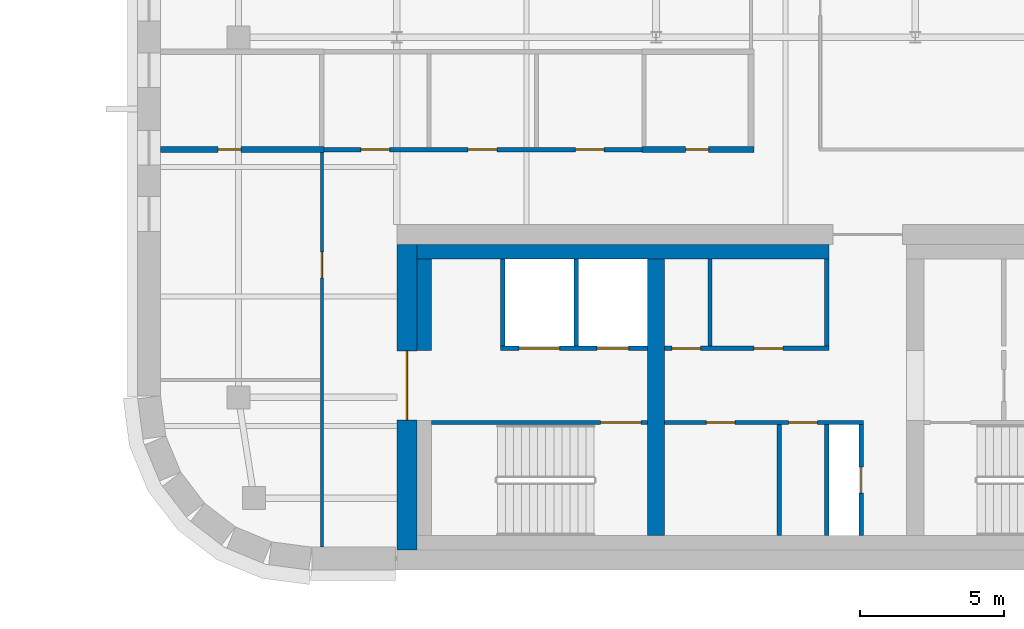
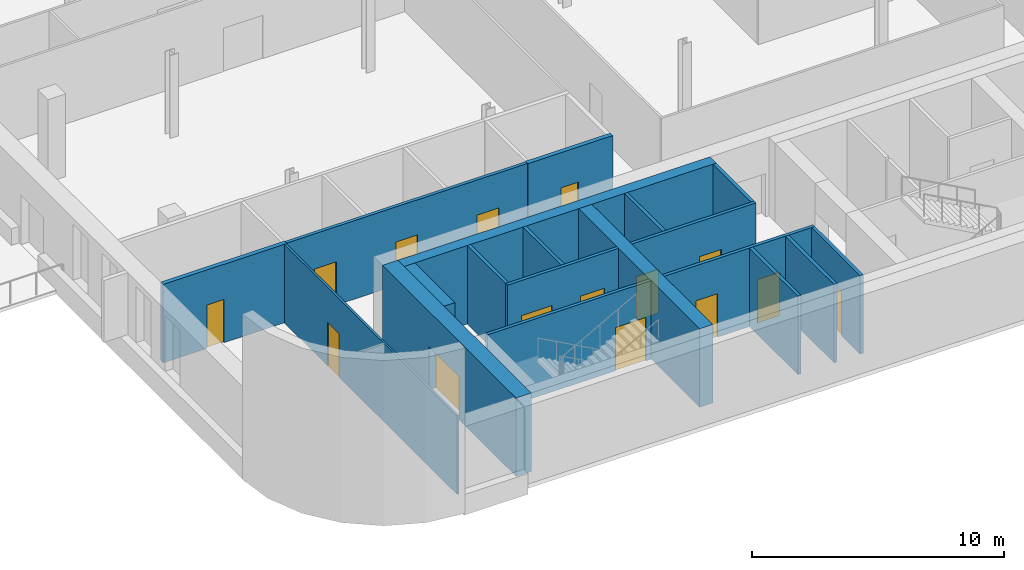
# One storey, part 6 of 17: 19 walls, 15 doors, 15 openings.
"""IFC4 building model written with IfcOpenShell, lengths in metres."""

from ifc_helpers import new_model, si_unit, direction, frame, frame_2d, origin, place, context, subcontext, project, spatial, rectangle, extrude, material, layer, layer_set, type_object, element, fill, save


model = new_model("IFC4")

# Units and contexts
model_context = context("Model", 3, precision=1e-05, world=origin(), true_north=direction((0.0, 1.0)))
body_context = subcontext(model_context, "Body", "Model", "MODEL_VIEW")
ifc_project = project(units=[si_unit("LENGTHUNIT", "METRE"), si_unit("AREAUNIT", "SQUARE_METRE"), si_unit("VOLUMEUNIT", "CUBIC_METRE"), si_unit("PLANEANGLEUNIT", "RADIAN"), si_unit("MASSUNIT", "GRAM", prefix="KILO")], contexts=[model_context])

# Site, building, storey
site_placement = place(None, origin())
site = spatial("IfcSite", under=ifc_project, at=site_placement, CompositionType="ELEMENT")
building_placement = place(site_placement, origin())
building = spatial("IfcBuilding", under=site, at=building_placement, Name="Zellij Exchange Tower", CompositionType="ELEMENT")
storey_placement = place(building_placement, frame((0.0, 0.0, 256.5)))
storey = spatial("IfcBuildingStorey", under=building, at=storey_placement, Name="L60", CompositionType="ELEMENT", Elevation=256.5)

# Walls
ifc_material_1 = material(Name="Concrete C50/60", Category="concrete")
ifc_layer_1 = layer(ifc_material_1, 0.60009765625)
ifc_layer_set_1 = layer_set([ifc_layer_1], Name="Concrete C50/60")
wall_type_1 = type_object("IfcWallType", Name="CORE-CW 600 C50/60", PredefinedType="SHEAR", material=ifc_layer_set_1)
wall_1_placement = place(storey_placement, frame((-18.0, -12.800048828125, 0.0), z_axis=(0.0, 0.0, 1.0), x_axis=(0.0, 1.0, 0.0)))
element("IfcWall", 1, at=wall_1_placement, inside=storey, type_object=wall_type_1, Name="Core cross wall x -18 L60", PredefinedType="SHEAR", context=body_context, shape_type="SweptSolid", body=[
    extrude(rectangle(XDim=9.60009765625, YDim=0.60009765625, at=frame_2d((4.800048828125, 0.0))), origin(), (0.0, 0.0, 1.0), 3.800048828125),
])
ifc_material_2 = material(Name="Concrete C30/37", Category="concrete")
ifc_layer_2 = layer(ifc_material_2, 0.5)
ifc_layer_set_2 = layer_set([ifc_layer_2], Name="Concrete C30/37")
wall_type_2 = type_object("IfcWallType", Name="CORE-LW 500 C30/37", PredefinedType="SHEAR", material=ifc_layer_set_2)
wall_2_placement = place(storey_placement, frame((-26.300048828125, -2.949951171875, 0.0), z_axis=(0.0, 0.0, 1.0), x_axis=(1.0, 0.0, 0.0)))
element("IfcWall", 2, at=wall_2_placement, inside=storey, type_object=wall_type_2, Name="Core wall lining front.0 L60", PredefinedType="SHEAR", context=body_context, shape_type="SweptSolid", body=[
    extrude(rectangle(XDim=14.300048828125, YDim=0.5, at=frame_2d((7.14990234375, 0.0))), origin(), (0.0, 0.0, 1.0), 3.800048828125),
])
wall_3_placement = place(storey_placement, frame((-26.050048828125, -6.375, 0.0), z_axis=(0.0, 0.0, 1.0), x_axis=(0.0, 1.0, 0.0)))
element("IfcWall", 3, at=wall_3_placement, inside=storey, type_object=wall_type_2, Name="Core wall lining end w.1 L60", PredefinedType="SHEAR", context=body_context, shape_type="SweptSolid", body=[
    extrude(rectangle(XDim=3.175048828125, YDim=0.5, at=frame_2d((1.58740234375, 0.0))), origin(), (0.0, 0.0, 1.0), 3.800048828125),
])
ifc_material_3 = material(Name="Gypsum board partition")
ifc_layer_3 = layer(ifc_material_3, 0.14990234375)
ifc_layer_set_3 = layer_set([ifc_layer_3], Name="Gypsum board partition")
wall_type_3 = type_object("IfcWallType", Name="CORE-PW 150 Lift lobby wall", PredefinedType="PARTITIONING", material=ifc_layer_set_3)
for number, where, z_axis, x_axis, name in (
    (4, (-12.074951171875, -6.22509765625, 0.0), (0.0, 0.0, 1.0), (0.0, 1.0, 0.0), "Lift lobby wall L60"),
    (5, (-16.125, -6.22509765625, 0.0), (0.0, 0.0, 1.0), (0.0, 1.0, 0.0), "Lift lobby wall L60"),
):
    element("IfcWall", number, at=place(storey_placement, frame(where, z_axis=z_axis, x_axis=x_axis)), inside=storey, type_object=wall_type_3, Name=name, PredefinedType="PARTITIONING", context=body_context, shape_type="SweptSolid", body=[
        extrude(rectangle(XDim=3.025146484375, YDim=0.14990234375, at=frame_2d((1.5126953125, 0.0))), origin(), (0.0, 0.0, 1.0), 3.800048828125),
    ])

# Wall, opening, door
wall_4_placement = place(storey_placement, frame((-10.875, -12.800048828125, 0.0), z_axis=(0.0, 0.0, 1.0), x_axis=(0.0, 1.0, 0.0)))
wall_4 = element("IfcWall", 6, at=wall_4_placement, inside=storey, type_object=wall_type_3, Name="Lift lobby wall L60", PredefinedType="PARTITIONING", context=body_context, shape_type="SweptSolid", body=[
    extrude(rectangle(XDim=3.85009765625, YDim=0.14990234375, at=frame_2d((1.925048828125, 0.0))), origin(), (0.0, 0.0, 1.0), 3.800048828125),
])
opening_1_placement = place(wall_4_placement, frame((1.47509765625, 0.0, 0.0)))
opening_1 = element("IfcOpeningElement", 7, at=opening_1_placement, cuts=wall_4, Name="Opening CA-31.09", PredefinedType="OPENING", context=body_context, shape_type="SweptSolid", body=[
    extrude(rectangle(XDim=0.89990234375, YDim=2.10009765625, at=frame_2d((0.449951171875, 1.050048828125))), frame((0.0, 0.0869140625, 0.0), z_axis=(0.0, -1.0, 0.0), x_axis=(1.0, 0.0, 0.0)), (0.0, 0.0, 1.0), 0.173828125),
])
ifc_material_4 = material(Name="Hollow metal fire door")
door_type_1 = type_object("IfcDoorType", Name="CORE-D RD Riser door 900x2100 1.5 HR", OperationType="NOTDEFINED", PredefinedType="DOOR", material=ifc_material_4)
door_1_placement = place(opening_1_placement, origin())
door_1 = element("IfcDoor", 8, at=door_1_placement, inside=storey, type_object=door_type_1, Name="Riser door CA-31.09", OperationType="SINGLE_SWING_RIGHT", OverallHeight=2.10009765625, OverallWidth=0.89990234375, PredefinedType="DOOR", context=body_context, shape_type="SweptSolid", body=[
    extrude(rectangle(XDim=0.89990234375, YDim=2.10009765625, at=frame_2d((0.449951171875, 1.050048828125))), frame((0.0, 0.02490234375, 0.0), z_axis=(0.0, -1.0, 0.0), x_axis=(1.0, 0.0, 0.0)), (0.0, 0.0, 1.0), 0.050048828125),
])
fill(opening_1, door_1)

# Walls
for number, where, z_axis, x_axis, name in (
    (9, (-12.074951171875, -12.800048828125, 0.0), (0.0, 0.0, 1.0), (0.0, 1.0, 0.0), "Lift lobby wall L60"),
    (10, (-13.72509765625, -12.800048828125, 0.0), (0.0, 0.0, 1.0), (0.0, 1.0, 0.0), "Lift lobby wall L60"),
):
    element("IfcWall", number, at=place(storey_placement, frame(where, z_axis=z_axis, x_axis=x_axis)), inside=storey, type_object=wall_type_3, Name=name, PredefinedType="PARTITIONING", context=body_context, shape_type="SweptSolid", body=[
        extrude(rectangle(XDim=3.85009765625, YDim=0.14990234375, at=frame_2d((1.925048828125, 0.0))), origin(), (0.0, 0.0, 1.0), 3.800048828125),
    ])

# Wall, openings, doors
wall_5_placement = place(storey_placement, frame((-17.699951171875, -6.300048828125, 0.0), z_axis=(0.0, 0.0, 1.0), x_axis=(1.0, 0.0, 0.0)))
wall_5 = element("IfcWall", 11, at=wall_5_placement, inside=storey, type_object=wall_type_3, Name="Lift lobby wall L60", PredefinedType="PARTITIONING", context=body_context, shape_type="SweptSolid", body=[
    extrude(rectangle(XDim=5.699951171875, YDim=0.14990234375, at=frame_2d((2.85009765625, 0.0))), origin(), (0.0, 0.0, 1.0), 3.800048828125),
])
opening_2_placement = place(wall_5_placement, frame((0.25, 0.0, 0.0)))
opening_2 = element("IfcOpeningElement", 12, at=opening_2_placement, cuts=wall_5, Name="Opening CA-31.05", PredefinedType="OPENING", context=body_context, shape_type="SweptSolid", body=[
    extrude(rectangle(XDim=1.0, YDim=2.10009765625, at=frame_2d((0.5, 1.050048828125))), frame((0.0, 0.0869140625, 0.0), z_axis=(0.0, -1.0, 0.0), x_axis=(1.0, 0.0, 0.0)), (0.0, 0.0, 1.0), 0.173828125),
])
opening_3_placement = place(wall_5_placement, frame((3.10009765625, 0.0, 0.0)))
opening_3 = element("IfcOpeningElement", 13, at=opening_3_placement, cuts=wall_5, Name="Opening CA-31.07", PredefinedType="OPENING", context=body_context, shape_type="SweptSolid", body=[
    extrude(rectangle(XDim=1.0, YDim=2.10009765625, at=frame_2d((0.5, 1.050048828125))), frame((0.0, 0.0869140625, 0.0), z_axis=(0.0, -1.0, 0.0), x_axis=(1.0, 0.0, 0.0)), (0.0, 0.0, 1.0), 0.173828125),
])
door_type_2 = type_object("IfcDoorType", Name="CORE-D CD Core room door 1000x2100 1 HR", OperationType="NOTDEFINED", PredefinedType="DOOR", material=ifc_material_4)
door_2_placement = place(opening_2_placement, origin())
door_2 = element("IfcDoor", 14, at=door_2_placement, inside=storey, type_object=door_type_2, Name="Core room door CA-31.05", OperationType="SINGLE_SWING_LEFT", OverallHeight=2.10009765625, OverallWidth=1.0, PredefinedType="DOOR", context=body_context, shape_type="SweptSolid", body=[
    extrude(rectangle(XDim=1.0, YDim=2.10009765625, at=frame_2d((0.5, 1.050048828125))), frame((0.0, 0.02490234375, 0.0), z_axis=(0.0, -1.0, 0.0), x_axis=(1.0, 0.0, 0.0)), (0.0, 0.0, 1.0), 0.050048828125),
])
fill(opening_2, door_2)
door_3_placement = place(opening_3_placement, origin())
door_3 = element("IfcDoor", 15, at=door_3_placement, inside=storey, type_object=door_type_2, Name="Core room door CA-31.07", OperationType="SINGLE_SWING_RIGHT", OverallHeight=2.10009765625, OverallWidth=1.0, PredefinedType="DOOR", context=body_context, shape_type="SweptSolid", body=[
    extrude(rectangle(XDim=1.0, YDim=2.10009765625, at=frame_2d((0.5, 1.050048828125))), frame((0.0, 0.02490234375, 0.0), z_axis=(0.0, -1.0, 0.0), x_axis=(1.0, 0.0, 0.0)), (0.0, 0.0, 1.0), 0.050048828125),
])
fill(opening_3, door_3)

wall_6_placement = place(storey_placement, frame((-17.699951171875, -8.875, 0.0), z_axis=(0.0, 0.0, 1.0), x_axis=(1.0, 0.0, 0.0)))
wall_6 = element("IfcWall", 16, at=wall_6_placement, inside=storey, type_object=wall_type_3, Name="Lift lobby wall L60", PredefinedType="PARTITIONING", context=body_context, shape_type="SweptSolid", body=[
    extrude(rectangle(XDim=6.89990234375, YDim=0.14990234375, at=frame_2d((3.449951171875, 0.0))), origin(), (0.0, 0.0, 1.0), 3.800048828125),
])
opening_4_placement = place(wall_6_placement, frame((1.449951171875, 0.0, 0.0)))
opening_4 = element("IfcOpeningElement", 17, at=opening_4_placement, cuts=wall_6, Name="Opening CA-31.06", PredefinedType="OPENING", context=body_context, shape_type="SweptSolid", body=[
    extrude(rectangle(XDim=1.0, YDim=2.10009765625, at=frame_2d((0.5, 1.050048828125))), frame((0.0, 0.0869140625, 0.0), z_axis=(0.0, -1.0, 0.0), x_axis=(1.0, 0.0, 0.0)), (0.0, 0.0, 1.0), 0.173828125),
])
opening_5_placement = place(wall_6_placement, frame((4.300048828125, 0.0, 0.0)))
opening_5 = element("IfcOpeningElement", 18, at=opening_5_placement, cuts=wall_6, Name="Opening CA-31.08", PredefinedType="OPENING", context=body_context, shape_type="SweptSolid", body=[
    extrude(rectangle(XDim=1.0, YDim=2.10009765625, at=frame_2d((0.5, 1.050048828125))), frame((0.0, 0.0869140625, 0.0), z_axis=(0.0, -1.0, 0.0), x_axis=(1.0, 0.0, 0.0)), (0.0, 0.0, 1.0), 0.173828125),
])
door_4_placement = place(opening_4_placement, origin())
door_4 = element("IfcDoor", 19, at=door_4_placement, inside=storey, type_object=door_type_2, Name="Core room door CA-31.06", OperationType="SINGLE_SWING_RIGHT", OverallHeight=2.10009765625, OverallWidth=1.0, PredefinedType="DOOR", context=body_context, shape_type="SweptSolid", body=[
    extrude(rectangle(XDim=1.0, YDim=2.10009765625, at=frame_2d((0.5, 1.050048828125))), frame((0.0, 0.02490234375, 0.0), z_axis=(0.0, -1.0, 0.0), x_axis=(1.0, 0.0, 0.0)), (0.0, 0.0, 1.0), 0.050048828125),
])
fill(opening_4, door_4)
door_5_placement = place(opening_5_placement, origin())
door_5 = element("IfcDoor", 20, at=door_5_placement, inside=storey, type_object=door_type_2, Name="Core room door CA-31.08", OperationType="SINGLE_SWING_LEFT", OverallHeight=2.10009765625, OverallWidth=1.0, PredefinedType="DOOR", context=body_context, shape_type="SweptSolid", body=[
    extrude(rectangle(XDim=1.0, YDim=2.10009765625, at=frame_2d((0.5, 1.050048828125))), frame((0.0, 0.02490234375, 0.0), z_axis=(0.0, -1.0, 0.0), x_axis=(1.0, 0.0, 0.0)), (0.0, 0.0, 1.0), 0.050048828125),
])
fill(opening_5, door_5)

# Walls
ifc_material_5 = material(Name="Gypsum shaft wall system")
ifc_layer_4 = layer(ifc_material_5, 0.14990234375)
ifc_layer_set_4 = layer_set([ifc_layer_4], Name="Gypsum shaft wall system")
wall_type_4 = type_object("IfcWallType", Name="CORE-PW 150 Lift shaft wall", PredefinedType="PARTITIONING", material=ifc_layer_set_4)
for number, where, z_axis, x_axis, name in (
    (21, (-20.77490234375, -6.22509765625, 0.0), (0.0, 0.0, 1.0), (0.0, 1.0, 0.0), "Lift shaft wall L60"),
    (22, (-23.324951171875, -6.22509765625, 0.0), (0.0, 0.0, 1.0), (0.0, 1.0, 0.0), "Lift shaft wall L60"),
):
    element("IfcWall", number, at=place(storey_placement, frame(where, z_axis=z_axis, x_axis=x_axis)), inside=storey, type_object=wall_type_4, Name=name, PredefinedType="PARTITIONING", context=body_context, shape_type="SweptSolid", body=[
        extrude(rectangle(XDim=3.025146484375, YDim=0.14990234375, at=frame_2d((1.5126953125, 0.0))), origin(), (0.0, 0.0, 1.0), 3.800048828125),
    ])

# Wall, openings, doors
wall_7_placement = place(storey_placement, frame((-23.39990234375, -6.300048828125, 0.0), z_axis=(0.0, 0.0, 1.0), x_axis=(1.0, 0.0, 0.0)))
wall_7 = element("IfcWall", 23, at=wall_7_placement, inside=storey, type_object=wall_type_4, Name="Lift shaft wall L60", PredefinedType="PARTITIONING", context=body_context, shape_type="SweptSolid", body=[
    extrude(rectangle(XDim=5.099853515625, YDim=0.14990234375, at=frame_2d((2.5498046875, 0.0))), origin(), (0.0, 0.0, 1.0), 3.800048828125),
])
opening_6_placement = place(wall_7_placement, frame((0.64990234375, 0.0, 0.0)))
opening_6 = element("IfcOpeningElement", 24, at=opening_6_placement, cuts=wall_7, Name="Opening CA-31.02", PredefinedType="OPENING", context=body_context, shape_type="SweptSolid", body=[
    extrude(rectangle(XDim=1.39990234375, YDim=2.10009765625, at=frame_2d((0.699951171875, 1.050048828125))), frame((0.0, 0.0869140625, 0.0), z_axis=(0.0, -1.0, 0.0), x_axis=(1.0, 0.0, 0.0)), (0.0, 0.0, 1.0), 0.173828125),
])
opening_7_placement = place(wall_7_placement, frame((3.35009765625, 0.0, 0.0)))
opening_7 = element("IfcOpeningElement", 25, at=opening_7_placement, cuts=wall_7, Name="Opening CA-31.03", PredefinedType="OPENING", context=body_context, shape_type="SweptSolid", body=[
    extrude(rectangle(XDim=1.10009765625, YDim=2.10009765625, at=frame_2d((0.550048828125, 1.050048828125))), frame((0.0, 0.0869140625, 0.0), z_axis=(0.0, -1.0, 0.0), x_axis=(1.0, 0.0, 0.0)), (0.0, 0.0, 1.0), 0.173828125),
])
door_type_3 = type_object("IfcDoorType", Name="CORE-D LD Lift landing door 1100x2100 1.5 HR", OperationType="NOTDEFINED", PredefinedType="DOOR", material=ifc_material_4)
door_6_placement = place(opening_7_placement, origin())
door_6 = element("IfcDoor", 26, at=door_6_placement, inside=storey, type_object=door_type_3, Name="Lift landing door CA-31.03", OperationType="SLIDING_TO_LEFT", OverallHeight=2.10009765625, OverallWidth=1.10009765625, PredefinedType="DOOR", context=body_context, shape_type="SweptSolid", body=[
    extrude(rectangle(XDim=1.10009765625, YDim=2.10009765625, at=frame_2d((0.550048828125, 1.050048828125))), frame((0.0, 0.02490234375, 0.0), z_axis=(0.0, -1.0, 0.0), x_axis=(1.0, 0.0, 0.0)), (0.0, 0.0, 1.0), 0.050048828125),
])
fill(opening_7, door_6)
door_type_4 = type_object("IfcDoorType", Name="CORE-D LD2 Service lift landing door 1400x2100 1.5 HR", OperationType="NOTDEFINED", PredefinedType="DOOR", material=ifc_material_4)
door_7_placement = place(opening_6_placement, origin())
door_7 = element("IfcDoor", 27, at=door_7_placement, inside=storey, type_object=door_type_4, Name="Service lift landing door CA-31.02", OperationType="SLIDING_TO_RIGHT", OverallHeight=2.10009765625, OverallWidth=1.39990234375, PredefinedType="DOOR", context=body_context, shape_type="SweptSolid", body=[
    extrude(rectangle(XDim=1.39990234375, YDim=2.10009765625, at=frame_2d((0.699951171875, 1.050048828125))), frame((0.0, 0.02490234375, 0.0), z_axis=(0.0, -1.0, 0.0), x_axis=(1.0, 0.0, 0.0)), (0.0, 0.0, 1.0), 0.050048828125),
])
fill(opening_6, door_7)

# Wall, opening, door
ifc_layer_5 = layer(ifc_material_1, 0.699951171875)
ifc_layer_set_5 = layer_set([ifc_layer_5], Name="Concrete C50/60")
wall_type_5 = type_object("IfcWallType", Name="CORE-SW 700 C50/60", PredefinedType="SHEAR", material=ifc_layer_set_5)
wall_8_placement = place(storey_placement, frame((-26.64990234375, -13.300048828125, 0.0), z_axis=(0.0, 0.0, 1.0), x_axis=(0.0, 1.0, 0.0)))
wall_8 = element("IfcWall", 28, at=wall_8_placement, inside=storey, type_object=wall_type_5, Name="Core shear wall end w L60", PredefinedType="SHEAR", context=body_context, shape_type="SweptSolid", body=[
    extrude(rectangle(XDim=10.60009765625, YDim=0.699951171875, at=frame_2d((5.300048828125, 0.0))), origin(), (0.0, 0.0, 1.0), 3.800048828125),
])
opening_8_placement = place(wall_8_placement, frame((4.511962890625, 0.0, 0.0)))
opening_8 = element("IfcOpeningElement", 29, at=opening_8_placement, cuts=wall_8, Name="Opening CA-31.01", PredefinedType="OPENING", context=body_context, shape_type="SweptSolid", body=[
    extrude(rectangle(XDim=2.39990234375, YDim=2.10009765625, at=frame_2d((1.199951171875, 1.050048828125))), frame((0.0, 0.36181640625, 0.0), z_axis=(0.0, -1.0, 0.0), x_axis=(1.0, 0.0, 0.0)), (0.0, 0.0, 1.0), 0.723876953125),
])
door_type_5 = type_object("IfcDoorType", Name="CORE-D CE Core entrance door 2400x2100 20 MIN", OperationType="NOTDEFINED", PredefinedType="DOOR", material=ifc_material_4)
door_8_placement = place(opening_8_placement, origin())
door_8 = element("IfcDoor", 30, at=door_8_placement, inside=storey, type_object=door_type_5, Name="Core entrance door CA-31.01", OperationType="DOUBLE_DOOR_SINGLE_SWING", OverallHeight=2.10009765625, OverallWidth=2.39990234375, PredefinedType="DOOR", context=body_context, shape_type="SweptSolid", body=[
    extrude(rectangle(XDim=2.39990234375, YDim=2.10009765625, at=frame_2d((1.199951171875, 1.050048828125))), frame((0.0, 0.02490234375, 0.0), z_axis=(0.0, -1.0, 0.0), x_axis=(1.0, 0.0, 0.0)), (0.0, 0.0, 1.0), 0.050048828125),
])
fill(opening_8, door_8)

ifc_layer_6 = layer(ifc_material_1, 0.14990234375)
ifc_layer_set_6 = layer_set([ifc_layer_6], Name="Concrete C50/60")
wall_type_6 = type_object("IfcWallType", Name="CORE-SWS 150 C50/60", PredefinedType="SHEAR", material=ifc_layer_set_6)
wall_9_placement = place(storey_placement, frame((-25.800048828125, -8.875, 0.0), z_axis=(0.0, 0.0, 1.0), x_axis=(1.0, 0.0, 0.0)))
wall_9 = element("IfcWall", 31, at=wall_9_placement, inside=storey, type_object=wall_type_6, Name="Stair enclosure wall L60", PredefinedType="SHEAR", context=body_context, shape_type="SweptSolid", body=[
    extrude(rectangle(XDim=7.5, YDim=0.14990234375, at=frame_2d((3.75, 0.0))), origin(), (0.0, 0.0, 1.0), 3.800048828125),
])
opening_9_placement = place(wall_9_placement, frame((5.875, 0.0, 0.0)))
opening_9 = element("IfcOpeningElement", 32, at=opening_9_placement, cuts=wall_9, Name="Opening CA-31.04", PredefinedType="OPENING", context=body_context, shape_type="SweptSolid", body=[
    extrude(rectangle(XDim=1.39990234375, YDim=2.10009765625, at=frame_2d((0.699951171875, 1.050048828125))), frame((0.0, 0.0869140625, 0.0), z_axis=(0.0, -1.0, 0.0), x_axis=(1.0, 0.0, 0.0)), (0.0, 0.0, 1.0), 0.173828125),
])
door_type_6 = type_object("IfcDoorType", Name="CORE-D SD Stair door 1400x2100 1.5 HR", OperationType="NOTDEFINED", PredefinedType="DOOR", material=ifc_material_4)
door_9_placement = place(opening_9_placement, origin())
door_9 = element("IfcDoor", 33, at=door_9_placement, inside=storey, type_object=door_type_6, Name="Stair door CA-31.04", OperationType="DOUBLE_DOOR_SINGLE_SWING", OverallHeight=2.10009765625, OverallWidth=1.39990234375, PredefinedType="DOOR", context=body_context, shape_type="SweptSolid", body=[
    extrude(rectangle(XDim=1.39990234375, YDim=2.10009765625, at=frame_2d((0.699951171875, 1.050048828125))), frame((0.0, 0.02490234375, 0.0), z_axis=(0.0, -1.0, 0.0), x_axis=(1.0, 0.0, 0.0)), (0.0, 0.0, 1.0), 0.050048828125),
])
fill(opening_9, door_9)

ifc_material_6 = material(Name="Blockwork partition", Category="masonry")
ifc_layer_7 = layer(ifc_material_6, 0.199951171875)
ifc_layer_set_7 = layer_set([ifc_layer_7], Name="Blockwork partition")
wall_type_7 = type_object("IfcWallType", Name="FIT-BLOCKWORK-200", PredefinedType="PARTITIONING", material=ifc_layer_set_7)
wall_10_placement = place(storey_placement, frame((-35.199951171875, 0.60009765625, 0.0), z_axis=(0.0, 0.0, 1.0), x_axis=(1.0, 0.0, 0.0)))
wall_10 = element("IfcWall", 34, at=wall_10_placement, inside=storey, type_object=wall_type_7, Name="FIT-BLOCKWORK-200 004", PredefinedType="PARTITIONING", context=body_context, shape_type="SweptSolid", body=[
    extrude(rectangle(XDim=5.675048828125, YDim=0.199951171875, at=frame_2d((2.83740234375, 0.0))), origin(), (0.0, 0.0, 1.0), 3.800048828125),
])
opening_10_placement = place(wall_10_placement, frame((2.0, 0.0, 0.0)))
opening_10 = element("IfcOpeningElement", 35, at=opening_10_placement, cuts=wall_10, Name="Opening O4E.03", PredefinedType="OPENING", context=body_context, shape_type="SweptSolid", body=[
    extrude(rectangle(XDim=0.800048828125, YDim=2.10009765625, at=frame_2d((0.39990234375, 1.050048828125))), frame((0.0, 0.11181640625, 0.0), z_axis=(0.0, -1.0, 0.0), x_axis=(1.0, 0.0, 0.0)), (0.0, 0.0, 1.0), 0.223876953125),
])
ifc_material_7 = material(Name="Timber door set", Category="wood")
door_type_7 = type_object("IfcDoorType", Name="FIT-D6-SERVICE-800X2100", OperationType="SINGLE_SWING_LEFT", PredefinedType="DOOR", material=ifc_material_7)
door_10_placement = place(opening_10_placement, origin())
door_10 = element("IfcDoor", 36, at=door_10_placement, inside=storey, type_object=door_type_7, Name="Door O4E.03", OperationType="SINGLE_SWING_RIGHT", OverallHeight=2.10009765625, OverallWidth=0.800048828125, PredefinedType="DOOR", context=body_context, shape_type="SweptSolid", body=[
    extrude(rectangle(XDim=0.800048828125, YDim=2.10009765625, at=frame_2d((0.39990234375, 1.050048828125))), frame((0.0, 0.02490234375, 0.0), z_axis=(0.0, -1.0, 0.0), x_axis=(1.0, 0.0, 0.0)), (0.0, 0.0, 1.0), 0.050048828125),
])
fill(opening_10, door_10)

wall_11_placement = place(storey_placement, frame((-18.4951171875, 0.60009765625, 0.0), z_axis=(0.0, 0.0, 1.0), x_axis=(1.0, 0.0, 0.0)))
wall_11 = element("IfcWall", 37, at=wall_11_placement, inside=storey, type_object=wall_type_7, Name="FIT-BLOCKWORK-200 009", PredefinedType="PARTITIONING", context=body_context, shape_type="SweptSolid", body=[
    extrude(rectangle(XDim=3.89501953125, YDim=0.199951171875, at=frame_2d((1.947509765625, 0.0))), origin(), (0.0, 0.0, 1.0), 3.800048828125),
])
opening_11_placement = place(wall_11_placement, frame((1.52001953125, 0.0, 0.0)))
opening_11 = element("IfcOpeningElement", 38, at=opening_11_placement, cuts=wall_11, Name="Opening O4E.07", PredefinedType="OPENING", context=body_context, shape_type="SweptSolid", body=[
    extrude(rectangle(XDim=0.800048828125, YDim=2.10009765625, at=frame_2d((0.39990234375, 1.050048828125))), frame((0.0, 0.11181640625, 0.0), z_axis=(0.0, -1.0, 0.0), x_axis=(1.0, 0.0, 0.0)), (0.0, 0.0, 1.0), 0.223876953125),
])
door_11_placement = place(opening_11_placement, origin())
door_11 = element("IfcDoor", 39, at=door_11_placement, inside=storey, type_object=door_type_7, Name="Door O4E.07", OperationType="SINGLE_SWING_RIGHT", OverallHeight=2.10009765625, OverallWidth=0.800048828125, PredefinedType="DOOR", context=body_context, shape_type="SweptSolid", body=[
    extrude(rectangle(XDim=0.800048828125, YDim=2.10009765625, at=frame_2d((0.39990234375, 1.050048828125))), frame((0.0, 0.02490234375, 0.0), z_axis=(0.0, -1.0, 0.0), x_axis=(1.0, 0.0, 0.0)), (0.0, 0.0, 1.0), 0.050048828125),
])
fill(opening_11, door_11)

ifc_material_8 = material(Name="Gypsum board partition on steel studs", Category="steel")
ifc_layer_8 = layer(ifc_material_8, 0.10009765625)
ifc_layer_set_8 = layer_set([ifc_layer_8], Name="Gypsum board partition on steel studs")
wall_type_8 = type_object("IfcWallType", Name="FIT-PARTITION-100", PredefinedType="PARTITIONING", material=ifc_layer_set_8)
wall_12_placement = place(storey_placement, frame((-29.60009765625, -13.199951171875, 0.0), z_axis=(0.0, 0.0, 1.0), x_axis=(0.0, 1.0, 0.0)))
wall_12 = element("IfcWall", 40, at=wall_12_placement, inside=storey, type_object=wall_type_8, Name="FIT-PARTITION-100 001", PredefinedType="PARTITIONING", context=body_context, shape_type="SweptSolid", body=[
    extrude(rectangle(XDim=13.699951171875, YDim=0.10009765625, at=frame_2d((6.85009765625, 0.0))), origin(), (0.0, 0.0, 1.0), 3.800048828125),
])
opening_12_placement = place(wall_12_placement, frame((9.35009765625, 0.0, 0.0)))
opening_12 = element("IfcOpeningElement", 41, at=opening_12_placement, cuts=wall_12, Name="Opening O4E.02", PredefinedType="OPENING", context=body_context, shape_type="SweptSolid", body=[
    extrude(rectangle(XDim=0.89990234375, YDim=2.10009765625, at=frame_2d((0.449951171875, 1.050048828125))), frame((0.0, 0.06201171875, 0.0), z_axis=(0.0, -1.0, 0.0), x_axis=(1.0, 0.0, 0.0)), (0.0, 0.0, 1.0), 0.1240234375),
])
door_type_8 = type_object("IfcDoorType", Name="FIT-D1-ROOM-900X2100", OperationType="SINGLE_SWING_LEFT", PredefinedType="DOOR", material=ifc_material_7)
door_12_placement = place(opening_12_placement, origin())
door_12 = element("IfcDoor", 42, at=door_12_placement, inside=storey, type_object=door_type_8, Name="Door O4E.02", OperationType="SINGLE_SWING_RIGHT", OverallHeight=2.10009765625, OverallWidth=0.89990234375, PredefinedType="DOOR", context=body_context, shape_type="SweptSolid", body=[
    extrude(rectangle(XDim=0.89990234375, YDim=2.10009765625, at=frame_2d((0.449951171875, 1.050048828125))), frame((0.0, 0.02490234375, 0.0), z_axis=(0.0, -1.0, 0.0), x_axis=(1.0, 0.0, 0.0)), (0.0, 0.0, 1.0), 0.050048828125),
])
fill(opening_12, door_12)

# Wall, openings, doors
ifc_material_9 = material(Name="Gypsum board shaft-wall partition", Category="gypsum")
ifc_layer_9 = layer(ifc_material_9, 0.14990234375)
ifc_layer_set_9 = layer_set([ifc_layer_9], Name="Gypsum board shaft-wall partition")
wall_type_9 = type_object("IfcWallType", Name="FIT-PARTITION-150-EI60", PredefinedType="PARTITIONING", material=ifc_layer_set_9)
wall_13_placement = place(storey_placement, frame((-29.675048828125, 0.60009765625, 0.0), z_axis=(0.0, 0.0, 1.0), x_axis=(1.0, 0.0, 0.0)))
wall_13 = element("IfcWall", 43, at=wall_13_placement, inside=storey, type_object=wall_type_9, Name="FIT-PARTITION-150-EI60 005", PredefinedType="PARTITIONING", context=body_context, shape_type="SweptSolid", body=[
    extrude(rectangle(XDim=11.330078125, YDim=0.14990234375, at=frame_2d((5.6650390625, 0.0))), origin(), (0.0, 0.0, 1.0), 3.800048828125),
])
opening_13_placement = place(wall_13_placement, frame((1.425048828125, 0.0, 0.0)))
opening_13 = element("IfcOpeningElement", 44, at=opening_13_placement, cuts=wall_13, Name="Opening O4E.04", PredefinedType="OPENING", context=body_context, shape_type="SweptSolid", body=[
    extrude(rectangle(XDim=1.0, YDim=2.10009765625, at=frame_2d((0.5, 1.050048828125))), frame((0.0, 0.0869140625, 0.0), z_axis=(0.0, -1.0, 0.0), x_axis=(1.0, 0.0, 0.0)), (0.0, 0.0, 1.0), 0.173828125),
])
opening_14_placement = place(wall_13_placement, frame((5.14990234375, 0.0, 0.0)))
opening_14 = element("IfcOpeningElement", 45, at=opening_14_placement, cuts=wall_13, Name="Opening O4E.05", PredefinedType="OPENING", context=body_context, shape_type="SweptSolid", body=[
    extrude(rectangle(XDim=1.0, YDim=2.10009765625, at=frame_2d((0.5, 1.050048828125))), frame((0.0, 0.0869140625, 0.0), z_axis=(0.0, -1.0, 0.0), x_axis=(1.0, 0.0, 0.0)), (0.0, 0.0, 1.0), 0.173828125),
])
opening_15_placement = place(wall_13_placement, frame((8.875, 0.0, 0.0)))
opening_15 = element("IfcOpeningElement", 46, at=opening_15_placement, cuts=wall_13, Name="Opening O4E.06", PredefinedType="OPENING", context=body_context, shape_type="SweptSolid", body=[
    extrude(rectangle(XDim=1.0, YDim=2.10009765625, at=frame_2d((0.5, 1.050048828125))), frame((0.0, 0.0869140625, 0.0), z_axis=(0.0, -1.0, 0.0), x_axis=(1.0, 0.0, 0.0)), (0.0, 0.0, 1.0), 0.173828125),
])
ifc_material_10 = material(Name="Steel fire door set", Category="steel")
door_type_9 = type_object("IfcDoorType", Name="FIT-D4-FIRE-1000X2100", OperationType="SINGLE_SWING_LEFT", PredefinedType="DOOR", material=ifc_material_10)
door_13_placement = place(opening_13_placement, origin())
door_13 = element("IfcDoor", 47, at=door_13_placement, inside=storey, type_object=door_type_9, Name="Door O4E.04", OperationType="SINGLE_SWING_LEFT", OverallHeight=2.10009765625, OverallWidth=1.0, PredefinedType="DOOR", context=body_context, shape_type="SweptSolid", body=[
    extrude(rectangle(XDim=1.0, YDim=2.10009765625, at=frame_2d((0.5, 1.050048828125))), frame((0.0, 0.02490234375, 0.0), z_axis=(0.0, -1.0, 0.0), x_axis=(1.0, 0.0, 0.0)), (0.0, 0.0, 1.0), 0.050048828125),
])
fill(opening_13, door_13)
door_14_placement = place(opening_14_placement, origin())
door_14 = element("IfcDoor", 48, at=door_14_placement, inside=storey, type_object=door_type_9, Name="Door O4E.05", OperationType="SINGLE_SWING_LEFT", OverallHeight=2.10009765625, OverallWidth=1.0, PredefinedType="DOOR", context=body_context, shape_type="SweptSolid", body=[
    extrude(rectangle(XDim=1.0, YDim=2.10009765625, at=frame_2d((0.5, 1.050048828125))), frame((0.0, 0.02490234375, 0.0), z_axis=(0.0, -1.0, 0.0), x_axis=(1.0, 0.0, 0.0)), (0.0, 0.0, 1.0), 0.050048828125),
])
fill(opening_14, door_14)
door_15_placement = place(opening_15_placement, origin())
door_15 = element("IfcDoor", 49, at=door_15_placement, inside=storey, type_object=door_type_9, Name="Door O4E.06", OperationType="SINGLE_SWING_LEFT", OverallHeight=2.10009765625, OverallWidth=1.0, PredefinedType="DOOR", context=body_context, shape_type="SweptSolid", body=[
    extrude(rectangle(XDim=1.0, YDim=2.10009765625, at=frame_2d((0.5, 1.050048828125))), frame((0.0, 0.02490234375, 0.0), z_axis=(0.0, -1.0, 0.0), x_axis=(1.0, 0.0, 0.0)), (0.0, 0.0, 1.0), 0.050048828125),
])
fill(opening_15, door_15)

save(model, "model.ifc")
